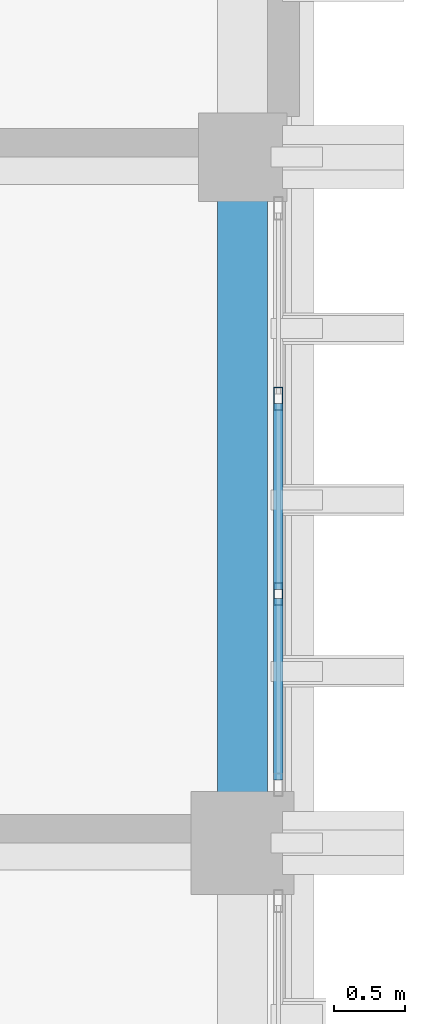
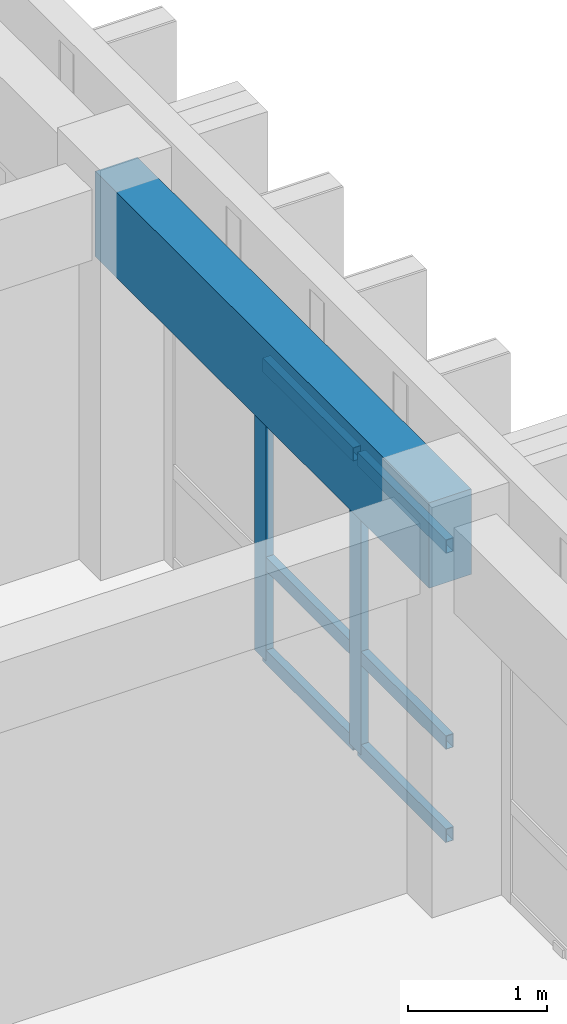
# One storey, part 30 of 59: 8 members, 1 beam, 1 element without a shape of its own.
"""IFC4 building model written with IfcOpenShell, lengths in metres."""

import ifcopenshell
import ifcopenshell.guid

model = None  # the IFC model being written
_history = None  # IfcOwnerHistory: only IFC2X3 demands one
_inside = {}  # id of a spatial element -> (the spatial element, [elements in it])
_under = {}  # id of a project, library or spatial element -> (it, [spatial elements below it])
_declared = {}  # id of a project -> (the project, [libraries it declares])
_typed = {}  # id of a type object -> (the type object, [elements of that type])
_made_of = {}  # id of a material, layer set ... -> (it, [elements and type objects made of it])


def new_model(schema):
    """Start an empty IFC model of exactly this schema.

    Asked for "IFC4X3", IfcOpenShell would pick the latest addendum, in which some entities
    have other attributes; the version numbers below select the first issue.
    IFC2X3 requires an IfcOwnerHistory on every rooted entity: one is made here for all.
    """
    global model, _history
    if schema == "IFC4X3":
        model = ifcopenshell.file(schema_version=(4, 3, 0, 0))
    else:
        model = ifcopenshell.file(schema=schema)
    _inside.clear()
    _under.clear()
    _declared.clear()
    _typed.clear()
    _made_of.clear()
    _history = None
    if model.schema == "IFC2X3":
        org = make("IfcOrganization", Name="unknown")
        user = make(
            "IfcPersonAndOrganization",
            ThePerson=make("IfcPerson", FamilyName="unknown"),
            TheOrganization=org,
        )
        app = make(
            "IfcApplication",
            ApplicationDeveloper=org,
            Version="unknown",
            ApplicationFullName="unknown",
            ApplicationIdentifier="unknown",
        )
        _history = make(
            "IfcOwnerHistory",
            OwningUser=user,
            OwningApplication=app,
            ChangeAction="ADDED",
            CreationDate=0,
        )
    return model


def make(cls, **values):
    """One entity of the class cls with the attributes given. An attribute that is None is left unset."""
    return model.create_entity(
        cls, **{name: value for name, value in values.items() if value is not None}
    )


def rooted(cls, **values):
    """An entity with a GlobalId (a new one), such as an element, a storey or a relation."""
    return make(cls, GlobalId=ifcopenshell.guid.new(), OwnerHistory=_history, **values)


def si_unit(unit_type, name, prefix=None):
    """IfcSIUnit, for example si_unit("LENGTHUNIT", "METRE", prefix="MILLI")."""
    return make("IfcSIUnit", UnitType=unit_type, Prefix=prefix, Name=name)


def assignment(units):
    """IfcUnitAssignment: the units of a project."""
    return None if units is None else make("IfcUnitAssignment", Units=units)


def point(xyz):
    """IfcCartesianPoint."""
    return None if xyz is None else make("IfcCartesianPoint", Coordinates=xyz)


def direction(xyz):
    """IfcDirection."""
    return None if xyz is None else make("IfcDirection", DirectionRatios=xyz)


def frame(location, z_axis=None, x_axis=None):
    """IfcAxis2Placement3D, a coordinate frame: its origin and axes. An axis left out is left unset."""
    return make(
        "IfcAxis2Placement3D",
        Location=point(location),
        Axis=direction(z_axis),
        RefDirection=direction(x_axis),
    )


def frame_2d(location, x_axis=None):
    """IfcAxis2Placement2D, a coordinate frame in the plane: its origin and x axis."""
    return make(
        "IfcAxis2Placement2D", Location=point(location), RefDirection=direction(x_axis)
    )


def origin():
    """The frame at (0, 0, 0) with its axes left unset."""
    return frame((0.0, 0.0, 0.0))


def origin_2d():
    """The frame at (0, 0) in the plane with its x axis left unset."""
    return frame_2d((0.0, 0.0))


def place(relative_to, where):
    """IfcLocalPlacement: puts the frame where relative to a parent placement (None: the world)."""
    return make(
        "IfcLocalPlacement", PlacementRelTo=relative_to, RelativePlacement=where
    )


def context(
    kind, dimensions, precision=None, world=None, true_north=None, identifier=None
):
    """IfcGeometricRepresentationContext, for example the 3D "Model" context."""
    return make(
        "IfcGeometricRepresentationContext",
        ContextIdentifier=identifier,
        ContextType=kind,
        CoordinateSpaceDimension=dimensions,
        Precision=precision,
        WorldCoordinateSystem=world,
        TrueNorth=true_north,
    )


def subcontext(parent, identifier, kind, view, scale=None):
    """IfcGeometricRepresentationSubContext, for example "Body" below "Model"."""
    return make(
        "IfcGeometricRepresentationSubContext",
        ContextIdentifier=identifier,
        ContextType=kind,
        ParentContext=parent,
        TargetScale=scale,
        TargetView=view,
    )


def project(units=None, contexts=None):
    """IfcProject with its units and contexts."""
    return rooted(
        "IfcProject",
        Name="project",
        RepresentationContexts=contexts,
        UnitsInContext=assignment(units),
    )


def spatial(cls, under=None, at=None, **own):
    """A site, building, storey or space (cls), placed at a placement, below another one or the project."""
    s = rooted(cls, ObjectPlacement=at, **own)
    if under is not None:
        _under.setdefault(under.id(), (under, []))[1].append(s)
    return s


def profile(cls, at=None, kind="AREA", **sizes):
    """A parametric profile (cls). Its sizes go by their IFC names, for example OverallWidth=200.0."""
    return make(cls, ProfileType=kind, Position=at, **sizes)


def rectangle(**sizes):
    """IfcRectangleProfileDef."""
    return profile("IfcRectangleProfileDef", **sizes)


def hollow_rectangle(**sizes):
    """IfcRectangleHollowProfileDef."""
    return profile("IfcRectangleHollowProfileDef", **sizes)


def extrude(swept, where, along, depth):
    """IfcExtrudedAreaSolid: the profile swept, set in the frame where, extruded along a direction by depth."""
    return make(
        "IfcExtrudedAreaSolid",
        SweptArea=swept,
        Position=where,
        ExtrudedDirection=direction(along),
        Depth=depth,
    )


def shape(context_of_items, identifier, shape_type, items):
    """IfcShapeRepresentation: the items that make up one representation, for example the "Body"."""
    return make(
        "IfcShapeRepresentation",
        ContextOfItems=context_of_items,
        RepresentationIdentifier=identifier,
        RepresentationType=shape_type,
        Items=items,
    )


def material(Name=None, Category=None):
    """IfcMaterial."""
    return make("IfcMaterial", Name=Name, Category=Category)


def layer(
    of_material, thickness, ventilated=None, Name=None, Category=None, Priority=None
):
    """IfcMaterialLayer: one layer of a wall or slab, of a material (None: an air gap)."""
    return make(
        "IfcMaterialLayer",
        Material=of_material,
        LayerThickness=thickness,
        IsVentilated=ventilated,
        Name=Name,
        Category=Category,
        Priority=Priority,
    )


def layer_set(layers, Name=None):
    """IfcMaterialLayerSet."""
    return make("IfcMaterialLayerSet", MaterialLayers=layers, LayerSetName=Name)


def material_profile(
    of_material, cross_section, Name=None, Category=None, Priority=None
):
    """IfcMaterialProfile: a cross section and its material."""
    return make(
        "IfcMaterialProfile",
        Name=Name,
        Material=of_material,
        Profile=cross_section,
        Priority=Priority,
        Category=Category,
    )


def profile_set(profiles, Name=None, composite=None):
    """IfcMaterialProfileSet."""
    return make(
        "IfcMaterialProfileSet",
        Name=Name,
        MaterialProfiles=profiles,
        CompositeProfile=composite,
    )


def made_of(thing, what):
    """Note that an element or type object is made of a material, layer set ...; save() writes the relation."""
    if what is not None:
        _made_of.setdefault(what.id(), (what, []))[1].append(thing)
    return thing


def type_object(cls, material=None, **own):
    """A type object (cls), such as IfcWallType, which elements share."""
    return made_of(rooted(cls, **own), material)


def element(
    cls,
    number,
    at=None,
    inside=None,
    cuts=None,
    type_object=None,
    material=None,
    context=None,
    identifier="Body",
    shape_type=None,
    held_by="IfcProductDefinitionShape",
    body=None,
    shapes=None,
    **own,
):
    """One element of the class cls, such as IfcWall. Its Tag is "e" and its number.

    at: its placement. inside: the storey or other place that contains it. cuts: it is an
    opening in that element (IfcRelVoidsElement). A single representation is given by context,
    identifier, shape_type and body (its items); several are given by shapes. held_by: the class
    of the entity that holds the representations. save() writes the other relations.
    """
    e = rooted(cls, Tag="e%d" % number, ObjectPlacement=at, **own)
    if body is not None:
        shapes = [shape(context, identifier, shape_type, body)]
    if shapes is not None:
        e.Representation = make(held_by, Representations=shapes)
    if inside is not None:
        _inside.setdefault(inside.id(), (inside, []))[1].append(e)
    if cuts is not None:
        rooted(
            "IfcRelVoidsElement", RelatingBuildingElement=cuts, RelatedOpeningElement=e
        )
    if type_object is not None:
        _typed.setdefault(type_object.id(), (type_object, []))[1].append(e)
    return made_of(e, material)


def aggregate(whole, parts):
    """IfcRelAggregates: a whole, such as a stair, and the parts it consists of."""
    return rooted("IfcRelAggregates", RelatingObject=whole, RelatedObjects=parts)


def save(model, path):
    """Write the relations noted so far, then the file.

    IfcRelAggregates (storeys below a building ...), IfcRelContainedInSpatialStructure (elements
    in a storey), IfcRelDefinesByType, IfcRelAssociatesMaterial and IfcRelDeclares: one each for
    every whole, place, type object, material and project.
    """
    for whole, parts in _under.values():
        aggregate(whole, parts)
    for where, things in _inside.values():
        rooted(
            "IfcRelContainedInSpatialStructure",
            RelatedElements=things,
            RelatingStructure=where,
        )
    for kind, things in _typed.values():
        rooted("IfcRelDefinesByType", RelatedObjects=things, RelatingType=kind)
    for what, things in _made_of.values():
        rooted("IfcRelAssociatesMaterial", RelatedObjects=things, RelatingMaterial=what)
    for by, libraries in _declared.values():
        rooted("IfcRelDeclares", RelatingContext=by, RelatedDefinitions=libraries)
    model.write(path)


model = new_model("IFC4")

# Units and contexts
model_context = context("Model", 3, precision=1e-05, world=origin(), true_north=direction((0.0, 1.0)))
body_context = subcontext(model_context, "Body", "Model", "MODEL_VIEW")
ifc_project = project(units=[si_unit("LENGTHUNIT", "METRE"), si_unit("AREAUNIT", "SQUARE_METRE"), si_unit("VOLUMEUNIT", "CUBIC_METRE"), si_unit("PLANEANGLEUNIT", "RADIAN"), si_unit("MASSUNIT", "GRAM", prefix="KILO")], contexts=[model_context])

# Site, building, storey
site_placement = place(None, origin())
site = spatial("IfcSite", under=ifc_project, at=site_placement, CompositionType="ELEMENT")
building_placement = place(site_placement, origin())
building = spatial("IfcBuilding", under=site, at=building_placement, Name="Nakhvara Creek Congress Hotel", CompositionType="ELEMENT")
storey_placement = place(building_placement, frame((0.0, 0.0, 31.800048828125)))
storey = spatial("IfcBuildingStorey", under=building, at=storey_placement, Name="L07", CompositionType="ELEMENT", Elevation=31.800048828125)

# Beam
ifc_material_1 = material(Name="Concrete C40/50", Category="concrete")
ifc_material_profile_1 = material_profile(ifc_material_1, rectangle(XDim=0.35009765625, YDim=0.75, at=origin_2d()), Name="RC-SPANDREL 350x750", Category="LoadBearing")
ifc_profile_set_1 = profile_set([ifc_material_profile_1], Name="Concrete C40/50")
beam_type = type_object("IfcBeamType", Name="BM-SPN-350X750", PredefinedType="SPANDREL", material=ifc_profile_set_1)
beam_placement = place(storey_placement, frame((179.35009765625, 96.0, 2.98486328125), z_axis=(0.0, 1.0, 0.0), x_axis=(-1.0, 0.0, 0.0)))
element("IfcBeam", 1, at=beam_placement, inside=storey, type_object=beam_type, Name="Beam SP1-L07-2401", PredefinedType="SPANDREL", context=body_context, shape_type="SweptSolid", body=[
    extrude(rectangle(XDim=0.35009765625, YDim=0.75, at=origin_2d()), origin(), (0.0, 0.0, 1.0), 4.800048828125),
])

# Curtain wall, members
ifc_material_2 = material(Name="Bronze-anodised aluminium AW-6063-T6 and double-silver low-E glass", Category="aluminium")
ifc_layer = layer(ifc_material_2, 0.199951171875)
ifc_layer_set = layer_set([ifc_layer], Name="Bronze-anodised aluminium AW-6063-T6 and double-silver low-E glass")
curtain_wall_type = type_object("IfcCurtainWallType", Name="CW-HTL-UNIT", PredefinedType="USERDEFINED", material=ifc_layer_set)
curtain_wall_placement = place(storey_placement, origin())
curtain_wall = element("IfcCurtainWall", 2, at=curtain_wall_placement, inside=storey, type_object=curtain_wall_type, Name="Curtain Wall CW267", ObjectType="UNITISED", PredefinedType="USERDEFINED")
ifc_material_3 = material(Name="Bronze-anodised aluminium AW-6063-T6", Category="aluminium")
ifc_material_profile_2 = material_profile(ifc_material_3, hollow_rectangle(XDim=0.06494140625, YDim=0.159912109375, WallThickness=0.00390625, at=origin_2d()), Name="ALU-MULL 65x160x4", Category="LoadBearing")
ifc_profile_set_2 = profile_set([ifc_material_profile_2], Name="Bronze-anodised aluminium AW-6063-T6")
member_type_1 = type_object("IfcMemberType", Name="CW-MULL-160", PredefinedType="MULLION", material=ifc_profile_set_2)
member_1_placement = place(storey_placement, frame((179.60009765625, 99.1083984375, 0.0), z_axis=(0.0, 0.0, 1.0), x_axis=(1.0, 0.0, 0.0)))
member_1 = element("IfcMember", 3, at=member_1_placement, type_object=member_type_1, Name="CW267 mullion 2", PredefinedType="MULLION", context=body_context, shape_type="SweptSolid", body=[
    extrude(hollow_rectangle(XDim=0.06494140625, YDim=0.159912109375, WallThickness=0.00390625, at=origin_2d()), origin(), (0.0, 0.0, 1.0), 2.60205078125),
])
member_2_placement = place(storey_placement, frame((179.60009765625, 97.74169921875, 0.0), z_axis=(0.0, 0.0, 1.0), x_axis=(1.0, 0.0, 0.0)))
member_2 = element("IfcMember", 4, at=member_2_placement, type_object=member_type_1, Name="CW267 mullion 3", PredefinedType="MULLION", context=body_context, shape_type="SweptSolid", body=[
    extrude(hollow_rectangle(XDim=0.06494140625, YDim=0.159912109375, WallThickness=0.00390625, at=origin_2d()), origin(), (0.0, 0.0, 1.0), 2.60205078125),
])
ifc_material_profile_3 = material_profile(ifc_material_3, hollow_rectangle(XDim=0.06494140625, YDim=0.1201171875, WallThickness=0.00390625, at=origin_2d()), Name="ALU-TRAN 65x120x4", Category="LoadBearing")
ifc_profile_set_3 = profile_set([ifc_material_profile_3], Name="Bronze-anodised aluminium AW-6063-T6")
member_type_2 = type_object("IfcMemberType", Name="CW-TRAN-120", PredefinedType="USERDEFINED", material=ifc_profile_set_3)
member_3_placement = place(storey_placement, frame((179.60009765625, 99.075927734375, 0.032470703125), z_axis=(0.0, -1.0, 0.0), x_axis=(1.0, 0.0, 0.0)))
member_3 = element("IfcMember", 5, at=member_3_placement, type_object=member_type_2, Name="CW267 transom 2.1", ObjectType="TRANSOM", PredefinedType="USERDEFINED", context=body_context, shape_type="SweptSolid", body=[
    extrude(hollow_rectangle(XDim=0.06494140625, YDim=0.1201171875, WallThickness=0.00390625, at=origin_2d()), origin(), (0.0, 0.0, 1.0), 1.3017578125),
])
member_4_placement = place(storey_placement, frame((179.60009765625, 99.075927734375, 0.849853515625), z_axis=(0.0, -1.0, 0.0), x_axis=(1.0, 0.0, 0.0)))
member_4 = element("IfcMember", 6, at=member_4_placement, type_object=member_type_2, Name="CW267 transom 2.2", ObjectType="TRANSOM", PredefinedType="USERDEFINED", context=body_context, shape_type="SweptSolid", body=[
    extrude(hollow_rectangle(XDim=0.06494140625, YDim=0.1201171875, WallThickness=0.00390625, at=origin_2d()), origin(), (0.0, 0.0, 1.0), 1.3017578125),
])
member_5_placement = place(storey_placement, frame((179.60009765625, 99.075927734375, 2.5693359375), z_axis=(0.0, -1.0, 0.0), x_axis=(1.0, 0.0, 0.0)))
member_5 = element("IfcMember", 7, at=member_5_placement, type_object=member_type_2, Name="CW267 transom 2.3", ObjectType="TRANSOM", PredefinedType="USERDEFINED", context=body_context, shape_type="SweptSolid", body=[
    extrude(hollow_rectangle(XDim=0.06494140625, YDim=0.1201171875, WallThickness=0.00390625, at=origin_2d()), origin(), (0.0, 0.0, 1.0), 1.3017578125),
])
member_6_placement = place(storey_placement, frame((179.60009765625, 97.709228515625, 0.032470703125), z_axis=(0.0, -1.0, 0.0), x_axis=(1.0, 0.0, 0.0)))
member_6 = element("IfcMember", 8, at=member_6_placement, type_object=member_type_2, Name="CW267 transom 3.1", ObjectType="TRANSOM", PredefinedType="USERDEFINED", context=body_context, shape_type="SweptSolid", body=[
    extrude(hollow_rectangle(XDim=0.06494140625, YDim=0.1201171875, WallThickness=0.00390625, at=origin_2d()), origin(), (0.0, 0.0, 1.0), 1.269287109375),
])
member_7_placement = place(storey_placement, frame((179.60009765625, 97.709228515625, 0.849853515625), z_axis=(0.0, -1.0, 0.0), x_axis=(1.0, 0.0, 0.0)))
member_7 = element("IfcMember", 9, at=member_7_placement, type_object=member_type_2, Name="CW267 transom 3.2", ObjectType="TRANSOM", PredefinedType="USERDEFINED", context=body_context, shape_type="SweptSolid", body=[
    extrude(hollow_rectangle(XDim=0.06494140625, YDim=0.1201171875, WallThickness=0.00390625, at=origin_2d()), origin(), (0.0, 0.0, 1.0), 1.269287109375),
])
member_8_placement = place(storey_placement, frame((179.60009765625, 97.709228515625, 2.5693359375), z_axis=(0.0, -1.0, 0.0), x_axis=(1.0, 0.0, 0.0)))
member_8 = element("IfcMember", 10, at=member_8_placement, type_object=member_type_2, Name="CW267 transom 3.3", ObjectType="TRANSOM", PredefinedType="USERDEFINED", context=body_context, shape_type="SweptSolid", body=[
    extrude(hollow_rectangle(XDim=0.06494140625, YDim=0.1201171875, WallThickness=0.00390625, at=origin_2d()), origin(), (0.0, 0.0, 1.0), 1.269287109375),
])
aggregate(curtain_wall, [member_1, member_2, member_3, member_4, member_5, member_6, member_7, member_8])

save(model, "model.ifc")
